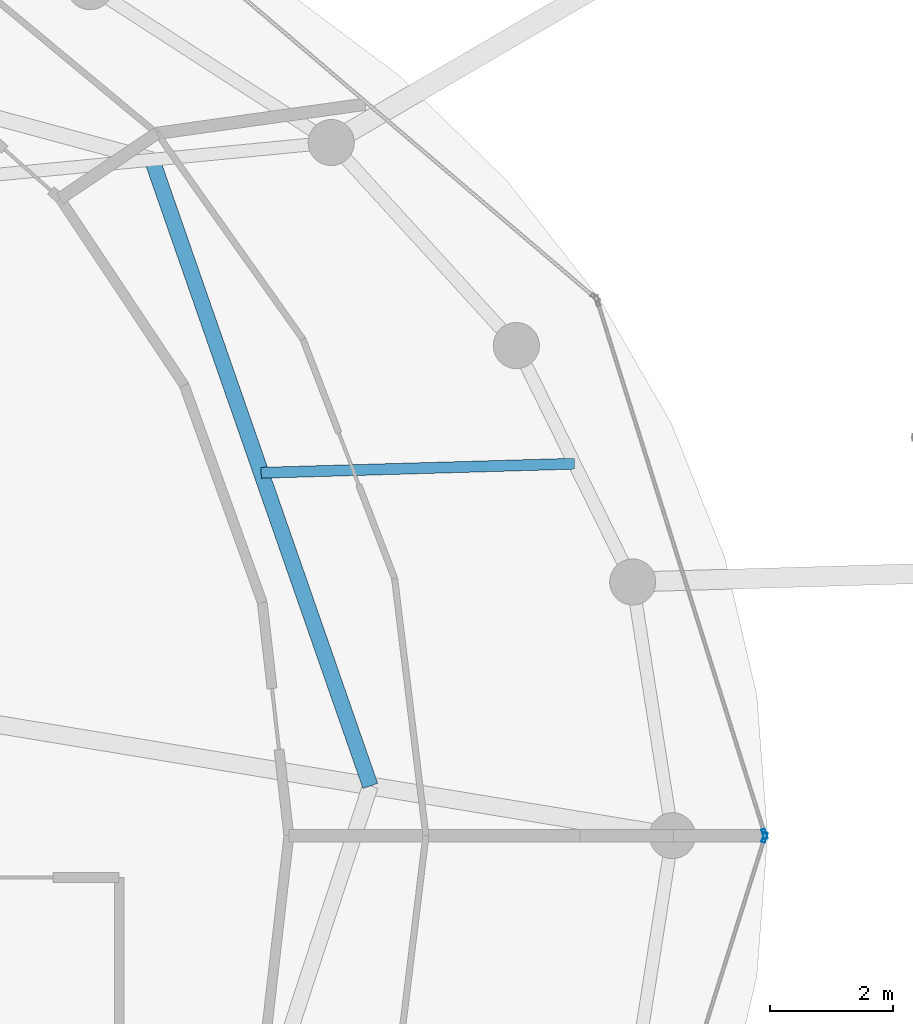
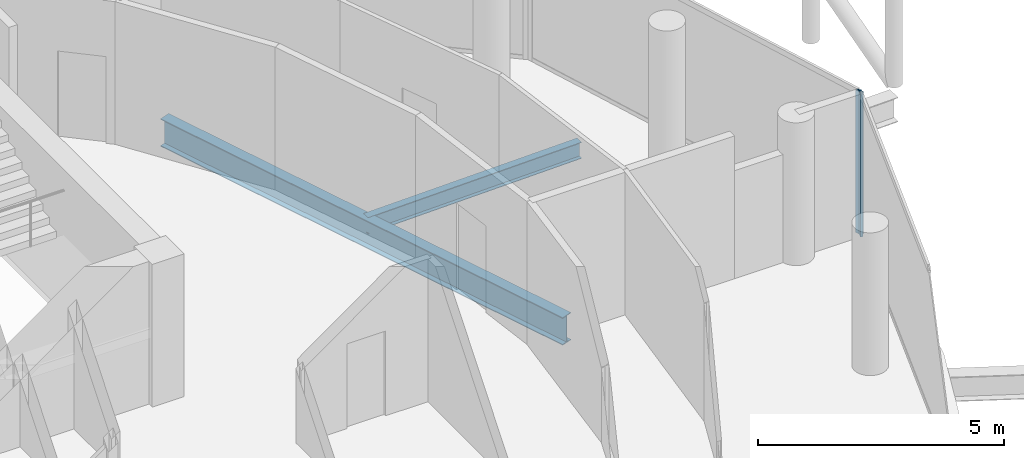
# One storey, part 12 of 24: 2 beams, 2 members, 2 elements without a shape of their own.
"""IFC4 building model written with IfcOpenShell, lengths in metres."""

from ifc_helpers import new_model, si_unit, direction, frame, origin, origin_2d, place, context, subcontext, project, spatial, hollow_rectangle, i_section, extrude, material, layer, layer_set, material_profile, profile_set, type_object, element, aggregate, save


model = new_model("IFC4")

# Units and contexts
model_context = context("Model", 3, precision=1e-05, world=origin(), true_north=direction((0.0, 1.0)))
body_context = subcontext(model_context, "Body", "Model", "MODEL_VIEW")
ifc_project = project(units=[si_unit("LENGTHUNIT", "METRE"), si_unit("AREAUNIT", "SQUARE_METRE"), si_unit("VOLUMEUNIT", "CUBIC_METRE"), si_unit("PLANEANGLEUNIT", "RADIAN"), si_unit("MASSUNIT", "GRAM", prefix="KILO")], contexts=[model_context])

# Site, building, storey
site_placement = place(None, origin())
site = spatial("IfcSite", under=ifc_project, at=site_placement, CompositionType="ELEMENT")
building_placement = place(site_placement, origin())
building = spatial("IfcBuilding", under=site, at=building_placement, Name="Nuhasar Tower", CompositionType="ELEMENT")
storey_placement = place(building_placement, frame((0.0, 0.0, 267.0)))
storey = spatial("IfcBuildingStorey", under=building, at=storey_placement, Name="L66", CompositionType="ELEMENT", Elevation=267.0)

# Beams
ifc_material_1 = material(Name="Steel S355", Category="steel")
ifc_material_profile_1 = material_profile(ifc_material_1, i_section(OverallWidth=0.25390625, OverallDepth=0.68408203125, WebThickness=0.012451171875, FlangeThickness=0.018798828125, at=origin_2d()), Name="W27X94")
ifc_profile_set_1 = profile_set([ifc_material_profile_1], Name="Steel S355")
beam_type_1 = type_object("IfcBeamType", Name="BM-INRING-W27X94", PredefinedType="BEAM", material=ifc_profile_set_1)
beam_1_placement = place(storey_placement, frame((53.035888671875, 27.610107421875, -0.60205078125), z_axis=(-0.329211236979, 0.944256300718, 0.0), x_axis=(-0.944256300718, -0.329211236979, 0.0)))
element("IfcBeam", 1, at=beam_1_placement, inside=storey, type_object=beam_type_1, Name="L66 Inner Header Beam 04", PredefinedType="BEAM", context=body_context, shape_type="SweptSolid", body=[
    extrude(i_section(OverallWidth=0.25390625, OverallDepth=0.68408203125, WebThickness=0.012451171875, FlangeThickness=0.018798828125, at=origin_2d()), origin(), (0.0, 0.0, 1.0), 10.78955078125),
])
ifc_material_profile_2 = material_profile(ifc_material_1, i_section(OverallWidth=0.177978515625, OverallDepth=0.406005859375, WebThickness=0.0078125, FlangeThickness=0.0126953125, at=origin_2d()), Name="W16X40")
ifc_profile_set_2 = profile_set([ifc_material_profile_2], Name="Steel S355")
beam_type_2 = type_object("IfcBeamType", Name="BM-JST-W16X40", PredefinedType="JOIST", material=ifc_profile_set_2)
beam_2_placement = place(storey_placement, frame((51.260009765625, 32.7041015625, -0.462890625), z_axis=(0.999579139243, 0.02900938453, 0.0), x_axis=(-0.02900938453, 0.999579139243, 0.0)))
element("IfcBeam", 2, at=beam_2_placement, inside=storey, type_object=beam_type_2, Name="L66 Secondary Floor Joist 04", PredefinedType="JOIST", context=body_context, shape_type="SweptSolid", body=[
    extrude(i_section(OverallWidth=0.177978515625, OverallDepth=0.406005859375, WebThickness=0.0078125, FlangeThickness=0.0126953125, at=origin_2d()), origin(), (0.0, 0.0, 1.0), 5.10009765625),
])

# Curtain wall, member
ifc_material_2 = material(Name="Aluminium 6063-T6", Category="aluminium")
ifc_layer = layer(ifc_material_2, 0.18994140625)
ifc_layer_set = layer_set([ifc_layer], Name="Aluminium 6063-T6")
curtain_wall_type = type_object("IfcCurtainWallType", Name="CW-Z4-PEN", PredefinedType="NOTDEFINED", material=ifc_layer_set)
curtain_wall_1_placement = place(storey_placement, origin())
curtain_wall_1 = element("IfcCurtainWall", 3, at=curtain_wall_1_placement, inside=storey, type_object=curtain_wall_type, Name="L66 Unitised Curtain Wall 01", PredefinedType="NOTDEFINED")
ifc_material_profile_3 = material_profile(ifc_material_2, hollow_rectangle(XDim=0.06005859375, YDim=0.1650390625, WallThickness=0.0048828125, at=origin_2d()), Name="CWM-5")
ifc_profile_set_3 = profile_set([ifc_material_profile_3], Name="Aluminium 6063-T6")
member_type = type_object("IfcMemberType", Name="CW-MUL-S5", PredefinedType="MULLION", material=ifc_profile_set_3)
member_1_placement = place(storey_placement, frame((59.450927734375, 26.82861328125, 0.0), z_axis=(0.0, 0.0, 1.0), x_axis=(-0.954078526601, -0.299556614146, 0.0)))
member_1 = element("IfcMember", 4, at=member_1_placement, type_object=member_type, Name="CW-Z4 mullion 1", PredefinedType="MULLION", context=body_context, shape_type="SweptSolid", body=[
    extrude(hollow_rectangle(XDim=0.06005859375, YDim=0.1650390625, WallThickness=0.0048828125, at=origin_2d()), origin(), (0.0, 0.0, 1.0), 3.5400390625),
])
aggregate(curtain_wall_1, [member_1])

curtain_wall_2_placement = place(storey_placement, origin())
curtain_wall_2 = element("IfcCurtainWall", 5, at=curtain_wall_2_placement, inside=storey, type_object=curtain_wall_type, Name="L66 Unitised Curtain Wall 12", PredefinedType="NOTDEFINED")
member_2_placement = place(storey_placement, frame((59.450927734375, 26.771484375, 0.0), z_axis=(0.0, 0.0, 1.0), x_axis=(-0.954078526601, 0.299556614146, 0.0)))
member_2 = element("IfcMember", 6, at=member_2_placement, type_object=member_type, Name="CW-Z4 mullion 2", PredefinedType="MULLION", context=body_context, shape_type="SweptSolid", body=[
    extrude(hollow_rectangle(XDim=0.06005859375, YDim=0.1650390625, WallThickness=0.0048828125, at=origin_2d()), origin(), (0.0, 0.0, 1.0), 3.5400390625),
])
aggregate(curtain_wall_2, [member_2])

save(model, "model.ifc")
